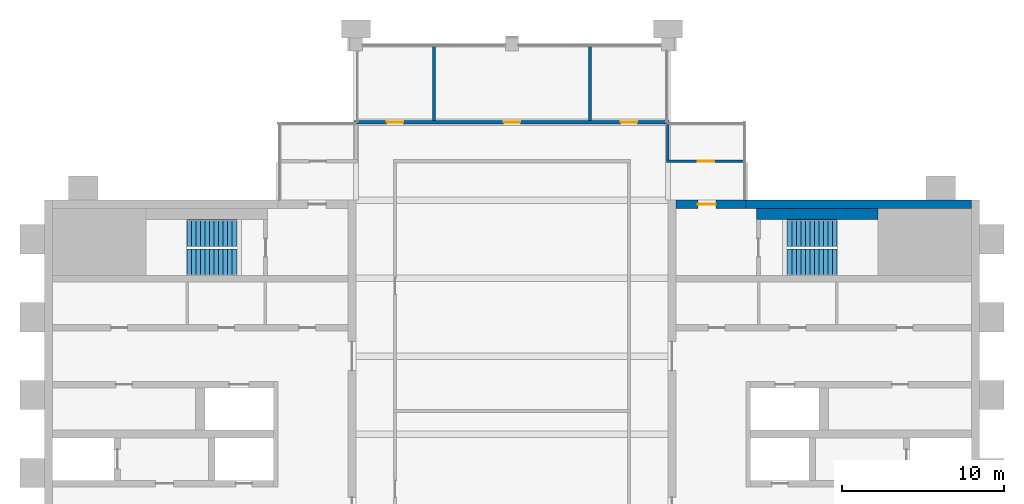
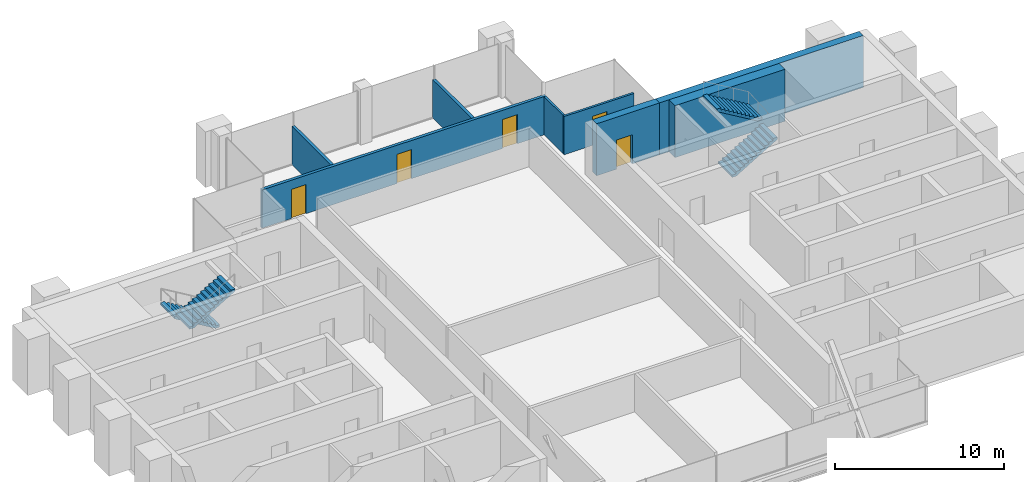
# One storey, part 10 of 11: 8 walls, 5 doors, 4 stair flights, 5 openings, 2 elements without a shape of their own.
"""IFC4 building model written with IfcOpenShell, lengths in metres."""

from ifc_helpers import new_model, si_unit, direction, frame, frame_2d, origin, place, context, subcontext, project, spatial, polyline, rectangle, outline, extrude, material, layer, layer_set, type_object, element, fill, aggregate, save


model = new_model("IFC4")

# Units and contexts
model_context = context("Model", 3, precision=1e-05, world=origin(), true_north=direction((0.0, 1.0)))
body_context = subcontext(model_context, "Body", "Model", "MODEL_VIEW")
ifc_project = project(units=[si_unit("LENGTHUNIT", "METRE"), si_unit("AREAUNIT", "SQUARE_METRE"), si_unit("VOLUMEUNIT", "CUBIC_METRE"), si_unit("PLANEANGLEUNIT", "RADIAN"), si_unit("MASSUNIT", "GRAM", prefix="KILO")], contexts=[model_context])

# Site, building, storey
site_placement = place(None, origin())
site = spatial("IfcSite", under=ifc_project, at=site_placement, CompositionType="ELEMENT")
building_placement = place(site_placement, origin())
building = spatial("IfcBuilding", under=site, at=building_placement, Name="Baori Bourse Tower", CompositionType="ELEMENT")
storey_placement = place(building_placement, frame((0.0, 0.0, 366.300048828125)))
storey = spatial("IfcBuildingStorey", under=building, at=storey_placement, Name="L82", CompositionType="ELEMENT", Elevation=366.300048828125)

# Wall
ifc_material_1 = material(Name="Concrete f'c 40 MPa", Category="concrete")
ifc_layer_1 = layer(ifc_material_1, 0.5)
ifc_layer_set_1 = layer_set([ifc_layer_1], Name="Core wall 500 f'c 40")
wall_type_1 = type_object("IfcWallType", Name="Core wall 500 f'c 40", PredefinedType="SHEAR", material=ifc_layer_set_1)
wall_1_placement = place(storey_placement, frame((43.199951171875, 38.14990234375, 0.0), z_axis=(0.0, 0.0, 1.0), x_axis=(1.0, 0.0, 0.0)))
element("IfcWall", 1, at=wall_1_placement, inside=storey, type_object=wall_type_1, Name="Core wall E26", PredefinedType="SHEAR", context=body_context, shape_type="SweptSolid", body=[
    extrude(rectangle(XDim=13.900146484375, YDim=0.5, at=frame_2d((6.9501953125, 0.0))), origin(), (0.0, 0.0, 1.0), 3.75),
])

# Wall, opening, door
wall_2_placement = place(storey_placement, frame((38.89990234375, 38.14990234375, 0.0), z_axis=(0.0, 0.0, 1.0), x_axis=(1.0, 0.0, 0.0)))
wall_2 = element("IfcWall", 2, at=wall_2_placement, inside=storey, type_object=wall_type_1, Name="Core wall E27", PredefinedType="SHEAR", context=body_context, shape_type="SweptSolid", body=[
    extrude(rectangle(XDim=4.300048828125, YDim=0.5, at=frame_2d((2.14990234375, 0.0))), origin(), (0.0, 0.0, 1.0), 3.75),
])
opening_1_placement = place(wall_2_placement, frame((1.35009765625, 0.0, 0.0)))
opening_1 = element("IfcOpeningElement", 3, at=opening_1_placement, cuts=wall_2, Name="Opening L82-D204", PredefinedType="OPENING", context=body_context, shape_type="SweptSolid", body=[
    extrude(rectangle(XDim=1.10009765625, YDim=2.10009765625, at=frame_2d((0.550048828125, 1.050048828125))), frame((0.0, 0.260009765625, 0.0), z_axis=(0.0, -1.0, 0.0), x_axis=(1.0, 0.0, 0.0)), (0.0, 0.0, 1.0), 0.52001953125),
])
ifc_material_2 = material(Name="Painted steel door", Category="steel")
door_type_1 = type_object("IfcDoorType", Name="Stair door 1100", OperationType="SINGLE_SWING_LEFT", PredefinedType="DOOR", material=ifc_material_2)
door_1_placement = place(opening_1_placement, origin())
door_1 = element("IfcDoor", 4, at=door_1_placement, inside=storey, type_object=door_type_1, Name="Stair vestibule door B E L82", OperationType="SINGLE_SWING_LEFT", OverallHeight=2.10009765625, OverallWidth=1.10009765625, PredefinedType="DOOR", context=body_context, shape_type="SweptSolid", body=[
    extrude(rectangle(XDim=1.10009765625, YDim=2.10009765625, at=frame_2d((0.550048828125, 1.050048828125))), frame((0.0, 0.02490234375, 0.0), z_axis=(0.0, -1.0, 0.0), x_axis=(1.0, 0.0, 0.0)), (0.0, 0.0, 1.0), 0.050048828125),
])
fill(opening_1, door_1)

ifc_material_3 = material(Name="Gypsum board partition")
ifc_layer_2 = layer(ifc_material_3, 0.14990234375)
ifc_layer_set_2 = layer_set([ifc_layer_2], Name="Corridor partition 150")
wall_type_2 = type_object("IfcWallType", Name="Corridor partition 150", PredefinedType="PARTITIONING", material=ifc_layer_set_2)
wall_3_placement = place(storey_placement, frame((38.324951171875, 40.800048828125, 0.0), z_axis=(0.0, 0.0, 1.0), x_axis=(1.0, 0.0, 0.0)))
wall_3 = element("IfcWall", 5, at=wall_3_placement, inside=storey, type_object=wall_type_2, Name="Partition", PredefinedType="PARTITIONING", context=body_context, shape_type="SweptSolid", body=[
    extrude(rectangle(XDim=4.775146484375, YDim=0.14990234375, at=frame_2d((2.3876953125, 0.0))), origin(), (0.0, 0.0, 1.0), 2.75927734375),
])
opening_2_placement = place(wall_3_placement, frame((1.925048828125, 0.0, 0.0)))
opening_2 = element("IfcOpeningElement", 6, at=opening_2_placement, cuts=wall_3, Name="Opening L82-D04", PredefinedType="OPENING", context=body_context, shape_type="SweptSolid", body=[
    extrude(rectangle(XDim=1.0, YDim=2.10009765625, at=frame_2d((0.5, 1.050048828125))), frame((0.0, 0.0849609375, 0.0), z_axis=(0.0, -1.0, 0.0), x_axis=(1.0, 0.0, 0.0)), (0.0, 0.0, 1.0), 0.169921875),
])
ifc_material_4 = material(Name="Timber door leaf", Category="wood")
door_type_2 = type_object("IfcDoorType", Name="Door 1000 x 2100", OperationType="SINGLE_SWING_LEFT", PredefinedType="DOOR", material=ifc_material_4)
door_2_placement = place(opening_2_placement, origin())
door_2 = element("IfcDoor", 7, at=door_2_placement, inside=storey, type_object=door_type_2, Name="Door", OperationType="SINGLE_SWING_LEFT", OverallHeight=2.10009765625, OverallWidth=1.0, PredefinedType="DOOR", context=body_context, shape_type="SweptSolid", body=[
    extrude(rectangle(XDim=1.0, YDim=2.10009765625, at=frame_2d((0.5, 1.050048828125))), frame((0.0, 0.02490234375, 0.0), z_axis=(0.0, -1.0, 0.0), x_axis=(1.0, 0.0, 0.0)), (0.0, 0.0, 1.0), 0.050048828125),
])
fill(opening_2, door_2)

# Wall
wall_4_placement = place(storey_placement, frame((38.39990234375, 40.875, 0.0), z_axis=(0.0, 0.0, 1.0), x_axis=(0.0, 1.0, 0.0)))
element("IfcWall", 8, at=wall_4_placement, inside=storey, type_object=wall_type_2, Name="Partition", PredefinedType="PARTITIONING", context=body_context, shape_type="SweptSolid", body=[
    extrude(rectangle(XDim=2.22509765625, YDim=0.14990234375, at=frame_2d((1.112548828125, 0.0))), origin(), (0.0, 0.0, 1.0), 2.75927734375),
])

# Wall, openings, doors
ifc_material_5 = material(Name="Gypsum board partition")
ifc_layer_3 = layer(ifc_material_5, 0.199951171875)
ifc_layer_set_3 = layer_set([ifc_layer_3], Name="Plant room wall 200")
wall_type_3 = type_object("IfcWallType", Name="Plant room wall 200", PredefinedType="PARTITIONING", material=ifc_layer_set_3)
wall_5_placement = place(storey_placement, frame((19.10009765625, 43.199951171875, 0.0), z_axis=(0.0, 0.0, 1.0), x_axis=(1.0, 0.0, 0.0)))
wall_5 = element("IfcWall", 9, at=wall_5_placement, inside=storey, type_object=wall_type_3, Name="Partition", PredefinedType="PARTITIONING", context=body_context, shape_type="SweptSolid", body=[
    extrude(rectangle(XDim=19.375, YDim=0.199951171875, at=frame_2d((9.6875, 0.0))), origin(), (0.0, 0.0, 1.0), 2.75927734375),
])
opening_3_placement = place(wall_5_placement, frame((2.0, 0.0, 0.0)))
opening_3 = element("IfcOpeningElement", 10, at=opening_3_placement, cuts=wall_5, Name="Opening L82-D05", PredefinedType="OPENING", context=body_context, shape_type="SweptSolid", body=[
    extrude(rectangle(XDim=1.0, YDim=2.10009765625, at=frame_2d((0.5, 1.050048828125))), frame((0.0, 0.10986328125, 0.0), z_axis=(0.0, -1.0, 0.0), x_axis=(1.0, 0.0, 0.0)), (0.0, 0.0, 1.0), 0.219970703125),
])
opening_4_placement = place(wall_5_placement, frame((9.199951171875, 0.0, 0.0)))
opening_4 = element("IfcOpeningElement", 11, at=opening_4_placement, cuts=wall_5, Name="Opening L82-D06", PredefinedType="OPENING", context=body_context, shape_type="SweptSolid", body=[
    extrude(rectangle(XDim=1.0, YDim=2.10009765625, at=frame_2d((0.5, 1.050048828125))), frame((0.0, 0.10986328125, 0.0), z_axis=(0.0, -1.0, 0.0), x_axis=(1.0, 0.0, 0.0)), (0.0, 0.0, 1.0), 0.219970703125),
])
opening_5_placement = place(wall_5_placement, frame((16.39990234375, 0.0, 0.0)))
opening_5 = element("IfcOpeningElement", 12, at=opening_5_placement, cuts=wall_5, Name="Opening L82-D07", PredefinedType="OPENING", context=body_context, shape_type="SweptSolid", body=[
    extrude(rectangle(XDim=1.0, YDim=2.10009765625, at=frame_2d((0.5, 1.050048828125))), frame((0.0, 0.10986328125, 0.0), z_axis=(0.0, -1.0, 0.0), x_axis=(1.0, 0.0, 0.0)), (0.0, 0.0, 1.0), 0.219970703125),
])
door_3_placement = place(opening_3_placement, origin())
door_3 = element("IfcDoor", 13, at=door_3_placement, inside=storey, type_object=door_type_2, Name="Door", OperationType="SINGLE_SWING_RIGHT", OverallHeight=2.10009765625, OverallWidth=1.0, PredefinedType="DOOR", context=body_context, shape_type="SweptSolid", body=[
    extrude(rectangle(XDim=1.0, YDim=2.10009765625, at=frame_2d((0.5, 1.050048828125))), frame((0.0, 0.02490234375, 0.0), z_axis=(0.0, -1.0, 0.0), x_axis=(1.0, 0.0, 0.0)), (0.0, 0.0, 1.0), 0.050048828125),
])
fill(opening_3, door_3)
door_4_placement = place(opening_4_placement, origin())
door_4 = element("IfcDoor", 14, at=door_4_placement, inside=storey, type_object=door_type_2, Name="Door", OperationType="SINGLE_SWING_LEFT", OverallHeight=2.10009765625, OverallWidth=1.0, PredefinedType="DOOR", context=body_context, shape_type="SweptSolid", body=[
    extrude(rectangle(XDim=1.0, YDim=2.10009765625, at=frame_2d((0.5, 1.050048828125))), frame((0.0, 0.02490234375, 0.0), z_axis=(0.0, -1.0, 0.0), x_axis=(1.0, 0.0, 0.0)), (0.0, 0.0, 1.0), 0.050048828125),
])
fill(opening_4, door_4)
door_5_placement = place(opening_5_placement, origin())
door_5 = element("IfcDoor", 15, at=door_5_placement, inside=storey, type_object=door_type_2, Name="Door", OperationType="SINGLE_SWING_LEFT", OverallHeight=2.10009765625, OverallWidth=1.0, PredefinedType="DOOR", context=body_context, shape_type="SweptSolid", body=[
    extrude(rectangle(XDim=1.0, YDim=2.10009765625, at=frame_2d((0.5, 1.050048828125))), frame((0.0, 0.02490234375, 0.0), z_axis=(0.0, -1.0, 0.0), x_axis=(1.0, 0.0, 0.0)), (0.0, 0.0, 1.0), 0.050048828125),
])
fill(opening_5, door_5)

# Walls
for number, where, z_axis, x_axis, name in (
    (16, (24.0, 43.300048828125, 0.0), (0.0, 0.0, 1.0), (0.0, 1.0, 0.0), "Partition"),
    (17, (33.60009765625, 43.300048828125, 0.0), (0.0, 0.0, 1.0), (0.0, 1.0, 0.0), "Partition"),
):
    element("IfcWall", number, at=place(storey_placement, frame(where, z_axis=z_axis, x_axis=x_axis)), inside=storey, type_object=wall_type_3, Name=name, PredefinedType="PARTITIONING", context=body_context, shape_type="SweptSolid", body=[
        extrude(rectangle(XDim=4.599853515625, YDim=0.199951171875, at=frame_2d((2.2998046875, 0.0))), origin(), (0.0, 0.0, 1.0), 2.75927734375),
    ])
ifc_material_6 = material(Name="Concrete f'c 40 MPa", Category="concrete")
ifc_layer_4 = layer(ifc_material_6, 0.699951171875)
ifc_layer_set_4 = layer_set([ifc_layer_4], Name="Shaft wall 700 f'c 40")
wall_type_4 = type_object("IfcWallType", Name="Shaft wall 700 f'c 40", PredefinedType="SHEAR", material=ifc_layer_set_4)
wall_6_placement = place(storey_placement, frame((43.85009765625, 37.550048828125, 0.0), z_axis=(0.0, 0.0, 1.0), x_axis=(1.0, 0.0, 0.0)))
element("IfcWall", 18, at=wall_6_placement, inside=storey, type_object=wall_type_4, Name="Core wall E25", PredefinedType="SHEAR", context=body_context, shape_type="SweptSolid", body=[
    extrude(rectangle(XDim=7.5, YDim=0.699951171875, at=frame_2d((3.75, 0.0))), origin(), (0.0, 0.0, 1.0), 3.75),
])

# Stair, stair flights
ifc_material_7 = material(Name="Concrete f'c 50 MPa", Category="concrete")
stair_type = type_object("IfcStairType", Name="Core stair", PredefinedType="HALF_TURN_STAIR", material=ifc_material_7)
stair_1_placement = place(storey_placement, origin())
stair_1 = element("IfcStair", 19, at=stair_1_placement, inside=storey, type_object=stair_type, Name="L82 Stair WB", PredefinedType="HALF_TURN_STAIR")
ifc_material_8 = material(Name="Concrete f'c 50 MPa", Category="concrete")
stair_flight_type = type_object("IfcStairFlightType", Name="Core stair flight", PredefinedType="STRAIGHT", material=ifc_material_8)
stair_flight_1_placement = place(storey_placement, frame((11.85009765625, 36.375, 0.0), z_axis=(0.0, 0.0, 1.0), x_axis=(-1.0, 0.0, 0.0)))
stair_flight_1 = element("IfcStairFlight", 20, at=stair_flight_1_placement, type_object=stair_flight_type, Name="ST2 flight 1", NumberOfRisers=12, NumberOfTreads=11, PredefinedType="STRAIGHT", RiserHeight=0.166666667, TreadLength=0.28, context=body_context, shape_type="SweptSolid", body=[
    extrude(outline(polyline([(0.0, 0.0), (0.0, 0.166748046875), (0.280029296875, 0.166748046875), (0.280029296875, 0.333251953125), (0.56005859375, 0.333251953125), (0.56005859375, 0.5), (0.840087890625, 0.5), (0.840087890625, 0.666748046875), (1.1201171875, 0.666748046875), (1.1201171875, 0.833251953125), (1.39990234375, 0.833251953125), (1.39990234375, 1.0), (1.679931640625, 1.0), (1.679931640625, 1.166748046875), (1.9599609375, 1.166748046875), (1.9599609375, 1.333251953125), (2.239990234375, 1.333251953125), (2.239990234375, 1.5), (2.52001953125, 1.5), (2.52001953125, 1.666748046875), (2.800048828125, 1.666748046875), (2.800048828125, 1.833251953125), (3.080078125, 1.833251953125), (3.080078125, 2.0), (3.080078125, 1.658935546875), (0.29296875, 0.0), (0.0, 0.0)])), frame((0.0, 0.824951171875, 0.0), z_axis=(0.0, -1.0, 0.0), x_axis=(1.0, 0.0, 0.0)), (0.0, 0.0, 1.0), 1.64990234375),
])
stair_flight_2_placement = place(storey_placement, frame((8.77001953125, 34.574951171875, 2.0), z_axis=(0.0, 0.0, 1.0), x_axis=(1.0, 0.0, 0.0)))
stair_flight_2 = element("IfcStairFlight", 21, at=stair_flight_2_placement, type_object=stair_flight_type, Name="ST2 flight 2", NumberOfRisers=12, NumberOfTreads=11, PredefinedType="STRAIGHT", RiserHeight=0.166666667, TreadLength=0.28, context=body_context, shape_type="SweptSolid", body=[
    extrude(outline(polyline([(0.0, 0.0), (0.0, 0.166748046875), (0.280029296875, 0.166748046875), (0.280029296875, 0.333251953125), (0.56005859375, 0.333251953125), (0.56005859375, 0.5), (0.840087890625, 0.5), (0.840087890625, 0.666748046875), (1.1201171875, 0.666748046875), (1.1201171875, 0.833251953125), (1.39990234375, 0.833251953125), (1.39990234375, 1.0), (1.679931640625, 1.0), (1.679931640625, 1.166748046875), (1.9599609375, 1.166748046875), (1.9599609375, 1.333251953125), (2.239990234375, 1.333251953125), (2.239990234375, 1.5), (2.52001953125, 1.5), (2.52001953125, 1.666748046875), (2.800048828125, 1.666748046875), (2.800048828125, 1.833251953125), (3.080078125, 1.833251953125), (3.080078125, 2.0), (3.080078125, 1.658935546875), (0.29296875, 0.0), (0.0, 0.0)])), frame((0.0, 0.824951171875, 0.0), z_axis=(0.0, -1.0, 0.0), x_axis=(1.0, 0.0, 0.0)), (0.0, 0.0, 1.0), 1.64990234375),
])
aggregate(stair_1, [stair_flight_1, stair_flight_2])

stair_2_placement = place(storey_placement, origin())
stair_2 = element("IfcStair", 22, at=stair_2_placement, inside=storey, type_object=stair_type, Name="L82 Stair EB", PredefinedType="HALF_TURN_STAIR")
stair_flight_3_placement = place(storey_placement, frame((45.75, 34.574951171875, 0.0), z_axis=(0.0, 0.0, 1.0), x_axis=(1.0, 0.0, 0.0)))
stair_flight_3 = element("IfcStairFlight", 23, at=stair_flight_3_placement, type_object=stair_flight_type, Name="ST4 flight 1", NumberOfRisers=12, NumberOfTreads=11, PredefinedType="STRAIGHT", RiserHeight=0.166666667, TreadLength=0.28, context=body_context, shape_type="SweptSolid", body=[
    extrude(outline(polyline([(0.0, 0.0), (0.0, 0.166748046875), (0.280029296875, 0.166748046875), (0.280029296875, 0.333251953125), (0.56005859375, 0.333251953125), (0.56005859375, 0.5), (0.840087890625, 0.5), (0.840087890625, 0.666748046875), (1.1201171875, 0.666748046875), (1.1201171875, 0.833251953125), (1.39990234375, 0.833251953125), (1.39990234375, 1.0), (1.679931640625, 1.0), (1.679931640625, 1.166748046875), (1.9599609375, 1.166748046875), (1.9599609375, 1.333251953125), (2.239990234375, 1.333251953125), (2.239990234375, 1.5), (2.52001953125, 1.5), (2.52001953125, 1.666748046875), (2.800048828125, 1.666748046875), (2.800048828125, 1.833251953125), (3.080078125, 1.833251953125), (3.080078125, 2.0), (3.080078125, 1.658935546875), (0.29296875, 0.0), (0.0, 0.0)])), frame((0.0, 0.824951171875, 0.0), z_axis=(0.0, -1.0, 0.0), x_axis=(1.0, 0.0, 0.0)), (0.0, 0.0, 1.0), 1.64990234375),
])
stair_flight_4_placement = place(storey_placement, frame((48.830078125, 36.375, 2.0), z_axis=(0.0, 0.0, 1.0), x_axis=(-1.0, 0.0, 0.0)))
stair_flight_4 = element("IfcStairFlight", 24, at=stair_flight_4_placement, type_object=stair_flight_type, Name="ST4 flight 2", NumberOfRisers=12, NumberOfTreads=11, PredefinedType="STRAIGHT", RiserHeight=0.166666667, TreadLength=0.28, context=body_context, shape_type="SweptSolid", body=[
    extrude(outline(polyline([(0.0, 0.0), (0.0, 0.166748046875), (0.280029296875, 0.166748046875), (0.280029296875, 0.333251953125), (0.56005859375, 0.333251953125), (0.56005859375, 0.5), (0.840087890625, 0.5), (0.840087890625, 0.666748046875), (1.1201171875, 0.666748046875), (1.1201171875, 0.833251953125), (1.39990234375, 0.833251953125), (1.39990234375, 1.0), (1.679931640625, 1.0), (1.679931640625, 1.166748046875), (1.9599609375, 1.166748046875), (1.9599609375, 1.333251953125), (2.239990234375, 1.333251953125), (2.239990234375, 1.5), (2.52001953125, 1.5), (2.52001953125, 1.666748046875), (2.800048828125, 1.666748046875), (2.800048828125, 1.833251953125), (3.080078125, 1.833251953125), (3.080078125, 2.0), (3.080078125, 1.658935546875), (0.29296875, 0.0), (0.0, 0.0)])), frame((0.0, 0.824951171875, 0.0), z_axis=(0.0, -1.0, 0.0), x_axis=(1.0, 0.0, 0.0)), (0.0, 0.0, 1.0), 1.64990234375),
])
aggregate(stair_2, [stair_flight_3, stair_flight_4])

save(model, "model.ifc")
